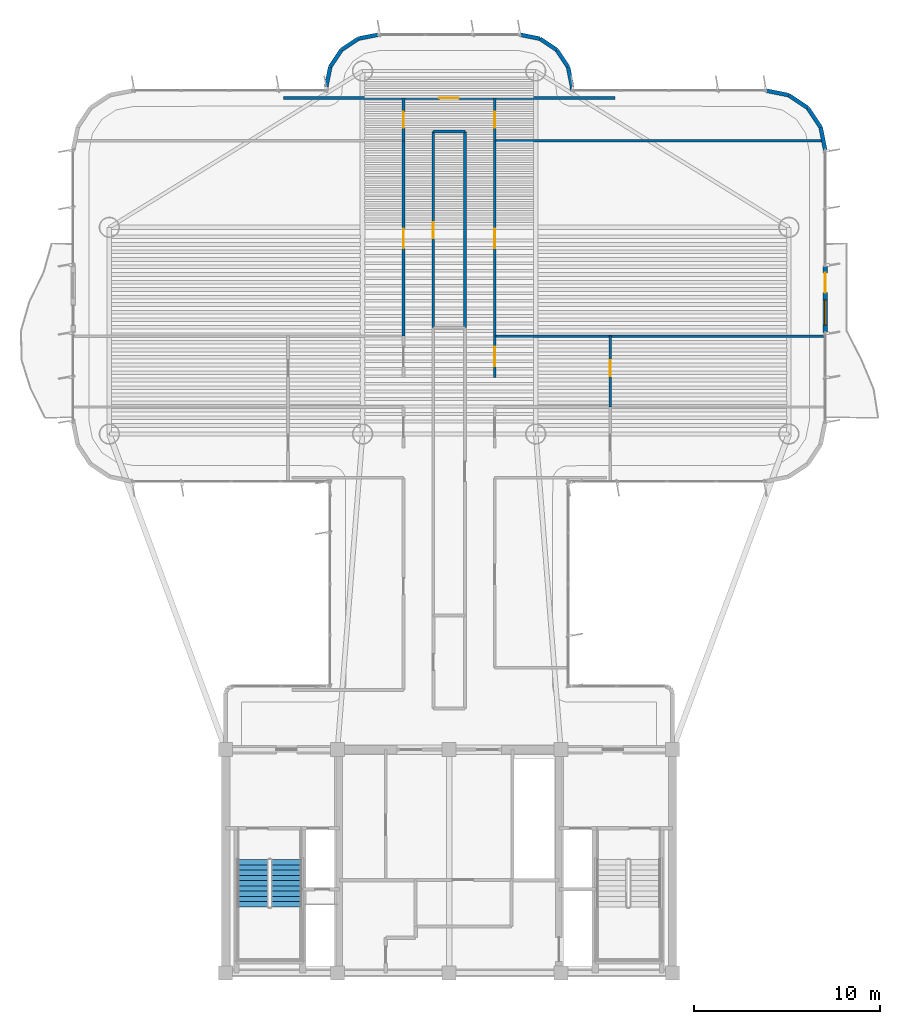
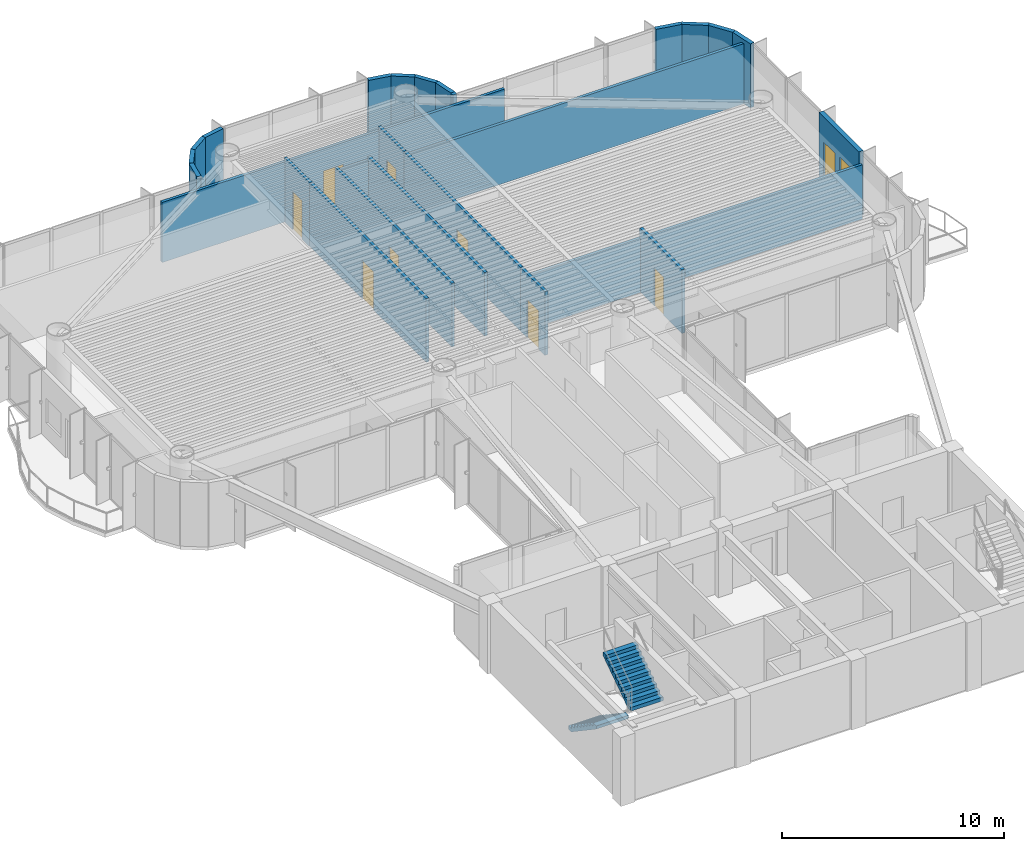
# One storey, part 11 of 14: 26 walls, 9 doors, 2 stair flights, 1 window, 10 openings, 1 element without a shape of its own.
"""IFC4 building model written with IfcOpenShell, lengths in metres."""

from ifc_helpers import new_model, si_unit, direction, frame, frame_2d, origin, origin_2d, place, context, subcontext, project, spatial, polyline, rectangle, outline, extrude, source, transform, mapped, material, layer, layer_set, type_object, element, fill, aggregate, save


model = new_model("IFC4")

# Units and contexts
model_context = context("Model", 3, precision=1e-05, world=origin(), true_north=direction((0.0, 1.0)))
body_context = subcontext(model_context, "Body", "Model", "MODEL_VIEW")
ifc_project = project(units=[si_unit("LENGTHUNIT", "METRE"), si_unit("AREAUNIT", "SQUARE_METRE"), si_unit("VOLUMEUNIT", "CUBIC_METRE"), si_unit("PLANEANGLEUNIT", "RADIAN"), si_unit("MASSUNIT", "GRAM", prefix="KILO")], contexts=[model_context])

# Site, building, storey
site_placement = place(None, origin())
site = spatial("IfcSite", under=ifc_project, at=site_placement, CompositionType="ELEMENT")
building_placement = place(site_placement, origin())
building = spatial("IfcBuilding", under=site, at=building_placement, Name="Brelvock Crest Care Tower", CompositionType="ELEMENT")
storey_placement = place(building_placement, frame((0.0, 0.0, 175.320068359375)))
storey = spatial("IfcBuildingStorey", under=building, at=storey_placement, Name="L44", CompositionType="ELEMENT", Elevation=175.320068359375)

# Wall, openings, door, window
ifc_material_1 = material(Name="Precast concrete N40 (40 MPa)", Category="concrete")
ifc_layer_1 = layer(ifc_material_1, 0.239990234375, Name="WL-EX1")
ifc_layer_set_1 = layer_set([ifc_layer_1], Name="Precast concrete N40 (40 MPa)")
wall_type_1 = type_object("IfcWallType", Name="WL-EX1", PredefinedType="SOLIDWALL", material=ifc_layer_set_1)
wall_1_placement = place(storey_placement, frame((56.199951171875, 44.0, 0.0), z_axis=(0.0, 0.0, 1.0), x_axis=(0.0, -1.0, 0.0)))
wall_1 = element("IfcWall", 1, at=wall_1_placement, inside=storey, type_object=wall_type_1, Name="L44 Exterior Spandrel Wall WL-BAL-L44-E", PredefinedType="SOLIDWALL", context=body_context, shape_type="SweptSolid", body=[
    extrude(rectangle(XDim=3.60009765625, YDim=0.239990234375, at=frame_2d((1.800048828125, 0.0))), origin(), (0.0, 0.0, 1.0), 3.530029296875),
])
opening_1_placement = place(wall_1_placement, frame((0.39990234375, 0.0, 0.0)))
opening_1 = element("IfcOpeningElement", 2, at=opening_1_placement, cuts=wall_1, Name="Opening BD-1", PredefinedType="OPENING", context=body_context, shape_type="SweptSolid", body=[
    extrude(rectangle(XDim=1.050048828125, YDim=2.14990234375, at=origin_2d()), frame((0.52490234375, 0.1298828125, 1.074951171875), z_axis=(0.0, -1.0, 0.0), x_axis=(1.0, 0.0, 0.0)), (0.0, 0.0, 1.0), 0.260009765625),
])
opening_2_placement = place(wall_1_placement, frame((1.85009765625, 0.0, 0.85009765625)))
opening_2 = element("IfcOpeningElement", 3, at=opening_2_placement, cuts=wall_1, Name="Opening W-01", PredefinedType="OPENING", context=body_context, shape_type="SweptSolid", body=[
    extrude(rectangle(XDim=1.35009765625, YDim=1.35009765625, at=origin_2d()), frame((0.675048828125, 0.1298828125, 0.675048828125), z_axis=(0.0, -1.0, 0.0), x_axis=(1.0, 0.0, 0.0)), (0.0, 0.0, 1.0), 0.260009765625),
])
ifc_material_2 = material(Name="Dark Glass Double Glazed Low-E", Category="glass")
door_type_1 = type_object("IfcDoorType", Name="DR-BAL1", OperationType="NOTDEFINED", PredefinedType="DOOR", material=ifc_material_2)
shared_shape_1 = source(origin(), body_context, "Body", "SweptSolid", [
    extrude(rectangle(XDim=1.050048828125, YDim=2.14990234375, at=origin_2d()), frame((0.52490234375, 0.02490234375, 1.074951171875), z_axis=(0.0, -1.0, 0.0), x_axis=(1.0, 0.0, 0.0)), (0.0, 0.0, 1.0), 0.050048828125),
])
door_1_placement = place(opening_1_placement, origin())
door_1 = element("IfcDoor", 4, at=door_1_placement, inside=storey, type_object=door_type_1, Name="L44 E Wave Balcony Glazed Door", OperationType="SINGLE_SWING_RIGHT", OverallHeight=2.14990234375, OverallWidth=1.050048828125, PredefinedType="DOOR", context=body_context, shape_type="MappedRepresentation", body=[
    mapped(shared_shape_1, transform((0.0, 0.0, 0.0), x_axis=(1.0, 0.0, 0.0), y_axis=(0.0, 1.0, 0.0), z_axis=(0.0, 0.0, 1.0), scale=1.0)),
])
fill(opening_1, door_1)
window_type = type_object("IfcWindowType", Name="WN-EX1", PartitioningType="SINGLE_PANEL", PredefinedType="WINDOW", material=ifc_material_2)
shared_shape_2 = source(origin(), body_context, "Body", "SweptSolid", [
    extrude(rectangle(XDim=1.35009765625, YDim=1.35009765625, at=origin_2d()), frame((0.675048828125, 0.030029296875, 0.675048828125), z_axis=(0.0, -1.0, 0.0), x_axis=(1.0, 0.0, 0.0)), (0.0, 0.0, 1.0), 0.06005859375),
])
window_placement = place(opening_2_placement, origin())
window = element("IfcWindow", 5, at=window_placement, inside=storey, type_object=window_type, Name="L44 E Suite Casement Window", OverallHeight=1.35009765625, OverallWidth=1.35009765625, PartitioningType="SINGLE_PANEL", PredefinedType="WINDOW", context=body_context, shape_type="MappedRepresentation", body=[
    mapped(shared_shape_2, transform((0.0, 0.0, 0.0), x_axis=(1.0, 0.0, 0.0), y_axis=(0.0, 1.0, 0.0), z_axis=(0.0, 0.0, 1.0), scale=1.0)),
])
fill(opening_2, window)

# Walls
ifc_layer_2 = layer(ifc_material_1, 0.215087890625, Name="WL-EX2")
ifc_layer_set_2 = layer_set([ifc_layer_2], Name="Precast concrete N40 (40 MPa)")
wall_type_2 = type_object("IfcWallType", Name="WL-EX2", PredefinedType="SOLIDWALL", material=ifc_layer_set_2)
wall_2_placement = place(storey_placement, frame((29.39990234375, 53.60009765625, 0.0), z_axis=(0.0, 0.0, 1.0), x_axis=(0.195127417394, 0.980777900945, 0.0)))
element("IfcWall", 6, at=wall_2_placement, inside=storey, type_object=wall_type_2, Name="L44 Rounded Corner Wall 24", PredefinedType="SOLIDWALL", context=body_context, shape_type="SweptSolid", body=[
    extrude(rectangle(XDim=1.09228515625, YDim=0.215087890625, at=frame_2d((0.546142578125, 0.0))), origin(), (0.0, 0.0, 1.0), 3.530029296875),
])
wall_3_placement = place(storey_placement, frame((29.613037109375, 54.67138671875, 0.0), z_axis=(0.0, 0.0, 1.0), x_axis=(0.555679482341, 0.831396603857, 0.0)))
element("IfcWall", 7, at=wall_3_placement, inside=storey, type_object=wall_type_2, Name="L44 Rounded Corner Wall 25", PredefinedType="SOLIDWALL", context=body_context, shape_type="SweptSolid", body=[
    extrude(rectangle(XDim=1.0927734375, YDim=0.215087890625, at=frame_2d((0.54638671875, 0.0))), origin(), (0.0, 0.0, 1.0), 3.530029296875),
])
for number, where, z_axis, x_axis, name in (
    (8, (30.22021484375, 55.579833984375, 0.0), (0.0, 0.0, 1.0), (0.831327592857, 0.555782721353, 0.0), "L44 Rounded Corner Wall 26"),
    (9, (31.12841796875, 56.18701171875, 0.0), (0.0, 0.0, 1.0), (0.980829143587, 0.194869677195, 0.0), "L44 Rounded Corner Wall 27"),
    (10, (39.800048828125, 56.39990234375, 0.0), (0.0, 0.0, 1.0), (0.980829143587, -0.194869677195, 0.0), "L44 Rounded Corner Wall 29"),
    (11, (40.87158203125, 56.18701171875, 0.0), (0.0, 0.0, 1.0), (0.831327592857, -0.555782721353, 0.0), "L44 Rounded Corner Wall 30"),
):
    element("IfcWall", number, at=place(storey_placement, frame(where, z_axis=z_axis, x_axis=x_axis)), inside=storey, type_object=wall_type_2, Name=name, PredefinedType="SOLIDWALL", context=body_context, shape_type="SweptSolid", body=[
        extrude(rectangle(XDim=1.092529296875, YDim=0.215087890625, at=frame_2d((0.54638671875, 0.0))), origin(), (0.0, 0.0, 1.0), 3.530029296875),
    ])
wall_4_placement = place(storey_placement, frame((41.77978515625, 55.579833984375, 0.0), z_axis=(0.0, 0.0, 1.0), x_axis=(0.555679482341, -0.831396603857, 0.0)))
element("IfcWall", 12, at=wall_4_placement, inside=storey, type_object=wall_type_2, Name="L44 Rounded Corner Wall 31", PredefinedType="SOLIDWALL", context=body_context, shape_type="SweptSolid", body=[
    extrude(rectangle(XDim=1.0927734375, YDim=0.215087890625, at=frame_2d((0.54638671875, 0.0))), origin(), (0.0, 0.0, 1.0), 3.530029296875),
])
wall_5_placement = place(storey_placement, frame((42.386962890625, 54.67138671875, 0.0), z_axis=(0.0, 0.0, 1.0), x_axis=(0.195127417394, -0.980777900945, 0.0)))
element("IfcWall", 13, at=wall_5_placement, inside=storey, type_object=wall_type_2, Name="L44 Rounded Corner Wall 32", PredefinedType="SOLIDWALL", context=body_context, shape_type="SweptSolid", body=[
    extrude(rectangle(XDim=1.09228515625, YDim=0.215087890625, at=frame_2d((0.546142578125, 0.0))), origin(), (0.0, 0.0, 1.0), 3.530029296875),
])
wall_6_placement = place(storey_placement, frame((42.60009765625, 53.60009765625, 0.0), z_axis=(0.0, 0.0, 1.0), x_axis=(0.0, -1.0, 0.0)))
element("IfcWall", 14, at=wall_6_placement, inside=storey, type_object=wall_type_2, Name="L44 Rounded Corner Wall 33", PredefinedType="SOLIDWALL", context=body_context, shape_type="SweptSolid", body=[
    extrude(rectangle(XDim=0.2001953125, YDim=0.215087890625, at=frame_2d((0.10009765625, 0.0))), origin(), (0.0, 0.0, 1.0), 3.530029296875),
])
for number, where, z_axis, x_axis, name in (
    (15, (53.0, 53.39990234375, 0.0), (0.0, 0.0, 1.0), (0.980813122964, -0.194950295773, 0.0), "L44 Rounded Corner Wall 35"),
    (16, (54.224609375, 53.156494140625, 0.0), (0.0, 0.0, 1.0), (0.831387912822, -0.555692485475, 0.0), "L44 Rounded Corner Wall 36"),
    (17, (55.2626953125, 52.462646484375, 0.0), (0.0, 0.0, 1.0), (0.555557312883, -0.831478245117, 0.0), "L44 Rounded Corner Wall 37"),
    (18, (55.956298828125, 51.424560546875, 0.0), (0.0, 0.0, 1.0), (0.195138390419, -0.980775717779, 0.0), "L44 Rounded Corner Wall 38"),
):
    element("IfcWall", number, at=place(storey_placement, frame(where, z_axis=z_axis, x_axis=x_axis)), inside=storey, type_object=wall_type_2, Name=name, PredefinedType="SOLIDWALL", context=body_context, shape_type="SweptSolid", body=[
        extrude(rectangle(XDim=1.24853515625, YDim=0.215087890625, at=frame_2d((0.624267578125, 0.0))), origin(), (0.0, 0.0, 1.0), 3.530029296875),
    ])
ifc_material_3 = material(Name="Masonry Blockwork Acoustic Partition", Category="masonry")
ifc_layer_3 = layer(ifc_material_3, 0.14990234375, Name="WL-INT1")
ifc_layer_set_3 = layer_set([ifc_layer_3], Name="Masonry Blockwork Acoustic Partition")
wall_type_3 = type_object("IfcWallType", Name="WL-INT1", PredefinedType="PARTITIONING", material=ifc_layer_set_3)
wall_7_placement = place(storey_placement, frame((38.449951171875, 40.201904296875, 0.0), z_axis=(0.0, 0.0, 1.0), x_axis=(1.0, 0.0, 0.0)))
element("IfcWall", 19, at=wall_7_placement, inside=storey, type_object=wall_type_3, Name="L44 Interior Wall WL-BX-L44-ERC-S", PredefinedType="PARTITIONING", context=body_context, shape_type="SweptSolid", body=[
    extrude(rectangle(XDim=17.670166015625, YDim=0.14990234375, at=frame_2d((8.8349609375, 0.0))), origin(), (0.0, 0.0, 1.0), 2.98193359375),
])
wall_8_placement = place(storey_placement, frame((38.449951171875, 50.699951171875, 0.0), z_axis=(0.0, 0.0, 1.0), x_axis=(1.0, 0.0, 0.0)))
element("IfcWall", 20, at=wall_8_placement, inside=storey, type_object=wall_type_3, Name="L44 Interior Wall WL-BX-L44-ERC-N", PredefinedType="PARTITIONING", context=body_context, shape_type="SweptSolid", body=[
    extrude(rectangle(XDim=17.569091796875, YDim=0.14990234375, at=frame_2d((8.78466796875, 0.0))), origin(), (0.0, 0.0, 1.0), 3.307861328125),
])
wall_9_placement = place(storey_placement, frame((35.14990234375, 51.199951171875, 0.0), z_axis=(0.0, 0.0, 1.0), x_axis=(1.0, 0.0, 0.0)))
element("IfcWall", 21, at=wall_9_placement, inside=storey, type_object=wall_type_3, Name="L44 Interior Wall WL-BX-L44-ISKT-N", PredefinedType="PARTITIONING", context=body_context, shape_type="SweptSolid", body=[
    extrude(rectangle(XDim=1.7001953125, YDim=0.14990234375, at=frame_2d((0.85009765625, 0.0))), origin(), (0.0, 0.0, 1.0), 3.307861328125),
])

# Wall, opening, door
wall_10_placement = place(storey_placement, frame((27.10009765625, 53.0, 0.0), z_axis=(0.0, 0.0, 1.0), x_axis=(1.0, 0.0, 0.0)))
wall_10 = element("IfcWall", 22, at=wall_10_placement, inside=storey, type_object=wall_type_3, Name="L44 Interior Wall WL-RM-L44-NHUB", PredefinedType="PARTITIONING", context=body_context, shape_type="SweptSolid", body=[
    extrude(rectangle(XDim=17.7998046875, YDim=0.14990234375, at=frame_2d((8.89990234375, 0.0))), origin(), (0.0, 0.0, 1.0), 3.307861328125),
])
opening_3_placement = place(wall_10_placement, frame((8.375, 0.0, 0.0)))
opening_3 = element("IfcOpeningElement", 23, at=opening_3_placement, cuts=wall_10, Name="Opening CLD-1", PredefinedType="OPENING", context=body_context, shape_type="SweptSolid", body=[
    extrude(rectangle(XDim=1.050048828125, YDim=2.10009765625, at=origin_2d()), frame((0.52490234375, 0.0849609375, 1.050048828125), z_axis=(0.0, -1.0, 0.0), x_axis=(1.0, 0.0, 0.0)), (0.0, 0.0, 1.0), 0.169921875),
])
ifc_material_4 = material(Name="Engineered Hardwood Timber", Category="wood")
door_type_2 = type_object("IfcDoorType", Name="DR-CLN1", OperationType="NOTDEFINED", PredefinedType="DOOR", material=ifc_material_4)
shared_shape_3 = source(origin(), body_context, "Body", "SweptSolid", [
    extrude(rectangle(XDim=1.050048828125, YDim=2.10009765625, at=origin_2d()), frame((0.52490234375, 0.02490234375, 1.050048828125), z_axis=(0.0, -1.0, 0.0), x_axis=(1.0, 0.0, 0.0)), (0.0, 0.0, 1.0), 0.050048828125),
])
door_2_placement = place(opening_3_placement, origin())
door_2 = element("IfcDoor", 24, at=door_2_placement, inside=storey, type_object=door_type_2, Name="L44 North Crest Conservatory Lounge Door NHUB", OperationType="SINGLE_SWING_LEFT", OverallHeight=2.10009765625, OverallWidth=1.050048828125, PredefinedType="DOOR", context=body_context, shape_type="MappedRepresentation", body=[
    mapped(shared_shape_3, transform((0.0, 0.0, 0.0), x_axis=(1.0, 0.0, 0.0), y_axis=(0.0, 1.0, 0.0), z_axis=(0.0, 0.0, 1.0), scale=1.0)),
])
fill(opening_3, door_2)

wall_11_placement = place(storey_placement, frame((33.550048828125, 40.201904296875, 0.0), z_axis=(0.0, 0.0, 1.0), x_axis=(0.0, 1.0, 0.0)))
wall_11 = element("IfcWall", 25, at=wall_11_placement, inside=storey, type_object=wall_type_3, Name="L44 Interior Wall WL-RM-L44-WRC", PredefinedType="PARTITIONING", context=body_context, shape_type="SweptSolid", body=[
    extrude(rectangle(XDim=10.498046875, YDim=0.14990234375, at=frame_2d((5.2490234375, 0.0))), origin(), (0.0, 0.0, 1.0), 3.5),
])
opening_4_placement = place(wall_11_placement, frame((4.72412109375, 0.0, 0.0)))
opening_4 = element("IfcOpeningElement", 26, at=opening_4_placement, cuts=wall_11, Name="Opening CLD-1", PredefinedType="OPENING", context=body_context, shape_type="SweptSolid", body=[
    extrude(rectangle(XDim=1.050048828125, YDim=2.10009765625, at=origin_2d()), frame((0.52490234375, 0.0849609375, 1.050048828125), z_axis=(0.0, -1.0, 0.0), x_axis=(1.0, 0.0, 0.0)), (0.0, 0.0, 1.0), 0.169921875),
])
door_3_placement = place(opening_4_placement, origin())
door_3 = element("IfcDoor", 27, at=door_3_placement, inside=storey, type_object=door_type_2, Name="L44 Neurological Rehab Studio Door WRC", OperationType="SINGLE_SWING_LEFT", OverallHeight=2.10009765625, OverallWidth=1.050048828125, PredefinedType="DOOR", context=body_context, shape_type="MappedRepresentation", body=[
    mapped(shared_shape_3, transform((0.0, 0.0, 0.0), x_axis=(1.0, 0.0, 0.0), y_axis=(0.0, 1.0, 0.0), z_axis=(0.0, 0.0, 1.0), scale=1.0)),
])
fill(opening_4, door_3)

wall_12_placement = place(storey_placement, frame((33.550048828125, 50.699951171875, 0.0), z_axis=(0.0, 0.0, 1.0), x_axis=(0.0, 1.0, 0.0)))
wall_12 = element("IfcWall", 28, at=wall_12_placement, inside=storey, type_object=wall_type_3, Name="L44 Interior Wall WL-RM-L44-NALW", PredefinedType="PARTITIONING", context=body_context, shape_type="SweptSolid", body=[
    extrude(rectangle(XDim=2.300048828125, YDim=0.14990234375, at=frame_2d((1.14990234375, 0.0))), origin(), (0.0, 0.0, 1.0), 3.5),
])
opening_5_placement = place(wall_12_placement, frame((0.68994140625, 0.0, 0.0)))
opening_5 = element("IfcOpeningElement", 29, at=opening_5_placement, cuts=wall_12, Name="Opening ID-1", PredefinedType="OPENING", context=body_context, shape_type="SweptSolid", body=[
    extrude(rectangle(XDim=0.860107421875, YDim=2.10009765625, at=origin_2d()), frame((0.43017578125, 0.0849609375, 1.050048828125), z_axis=(0.0, -1.0, 0.0), x_axis=(1.0, 0.0, 0.0)), (0.0, 0.0, 1.0), 0.169921875),
])
door_type_3 = type_object("IfcDoorType", Name="DR-INT1", OperationType="NOTDEFINED", PredefinedType="DOOR", material=ifc_material_4)
shared_shape_4 = source(origin(), body_context, "Body", "SweptSolid", [
    extrude(rectangle(XDim=0.860107421875, YDim=2.10009765625, at=origin_2d()), frame((0.43017578125, 0.02490234375, 1.050048828125), z_axis=(0.0, -1.0, 0.0), x_axis=(1.0, 0.0, 0.0)), (0.0, 0.0, 1.0), 0.050048828125),
])
door_4_placement = place(opening_5_placement, origin())
door_4 = element("IfcDoor", 30, at=door_4_placement, inside=storey, type_object=door_type_3, Name="L44 North West Sun Alcove Door NALW", OperationType="SINGLE_SWING_LEFT", OverallHeight=2.10009765625, OverallWidth=0.860107421875, PredefinedType="DOOR", context=body_context, shape_type="MappedRepresentation", body=[
    mapped(shared_shape_4, transform((0.0, 0.0, 0.0), x_axis=(1.0, 0.0, 0.0), y_axis=(0.0, 1.0, 0.0), z_axis=(0.0, 0.0, 1.0), scale=1.0)),
])
fill(opening_5, door_4)

wall_13_placement = place(storey_placement, frame((35.14990234375, 40.659912109375, 0.0), z_axis=(0.0, 0.0, 1.0), x_axis=(0.0, 1.0, 0.0)))
wall_13 = element("IfcWall", 31, at=wall_13_placement, inside=storey, type_object=wall_type_3, Name="L44 Interior Wall WL-RM-L44-ISKT", PredefinedType="PARTITIONING", context=body_context, shape_type="SweptSolid", body=[
    extrude(rectangle(XDim=10.5400390625, YDim=0.14990234375, at=frame_2d((5.27001953125, 0.0))), origin(), (0.0, 0.0, 1.0), 3.5),
])
opening_6_placement = place(wall_13_placement, frame((4.81005859375, 0.0, 0.0)))
opening_6 = element("IfcOpeningElement", 32, at=opening_6_placement, cuts=wall_13, Name="Opening ID-1", PredefinedType="OPENING", context=body_context, shape_type="SweptSolid", body=[
    extrude(rectangle(XDim=0.860107421875, YDim=2.10009765625, at=origin_2d()), frame((0.43017578125, 0.0849609375, 1.050048828125), z_axis=(0.0, -1.0, 0.0), x_axis=(1.0, 0.0, 0.0)), (0.0, 0.0, 1.0), 0.169921875),
])
door_5_placement = place(opening_6_placement, origin())
door_5 = element("IfcDoor", 33, at=door_5_placement, inside=storey, type_object=door_type_3, Name="L44 Communal Tea and Nutrition Pantry Door ISKT", OperationType="SINGLE_SWING_LEFT", OverallHeight=2.10009765625, OverallWidth=0.860107421875, PredefinedType="DOOR", context=body_context, shape_type="MappedRepresentation", body=[
    mapped(shared_shape_4, transform((0.0, 0.0, 0.0), x_axis=(1.0, 0.0, 0.0), y_axis=(0.0, 1.0, 0.0), z_axis=(0.0, 0.0, 1.0), scale=1.0)),
])
fill(opening_6, door_5)

# Wall
wall_14_placement = place(storey_placement, frame((36.85009765625, 40.659912109375, 0.0), z_axis=(0.0, 0.0, 1.0), x_axis=(0.0, 1.0, 0.0)))
element("IfcWall", 34, at=wall_14_placement, inside=storey, type_object=wall_type_3, Name="L44 Interior Wall WL-BX-L44-ISKT-E", PredefinedType="PARTITIONING", context=body_context, shape_type="SweptSolid", body=[
    extrude(rectangle(XDim=10.5400390625, YDim=0.14990234375, at=frame_2d((5.27001953125, 0.0))), origin(), (0.0, 0.0, 1.0), 3.5),
])

# Wall, opening, door
wall_15_placement = place(storey_placement, frame((38.449951171875, 37.9970703125, 0.0), z_axis=(0.0, 0.0, 1.0), x_axis=(0.0, 1.0, 0.0)))
wall_15 = element("IfcWall", 35, at=wall_15_placement, inside=storey, type_object=wall_type_3, Name="L44 Interior Wall WL-CENT-L44-ER1B", PredefinedType="PARTITIONING", context=body_context, shape_type="SweptSolid", body=[
    extrude(rectangle(XDim=2.204833984375, YDim=0.14990234375, at=frame_2d((1.1025390625, 0.0))), origin(), (0.0, 0.0, 1.0), 3.5),
])
opening_7_placement = place(wall_15_placement, frame((0.58203125, 0.0, 0.0)))
opening_7 = element("IfcOpeningElement", 36, at=opening_7_placement, cuts=wall_15, Name="Opening CD-1", PredefinedType="OPENING", context=body_context, shape_type="SweptSolid", body=[
    extrude(rectangle(XDim=1.050048828125, YDim=2.10009765625, at=origin_2d()), frame((0.52490234375, 0.0849609375, 1.050048828125), z_axis=(0.0, -1.0, 0.0), x_axis=(1.0, 0.0, 0.0)), (0.0, 0.0, 1.0), 0.169921875),
])
door_type_4 = type_object("IfcDoorType", Name="DR-CARE1", OperationType="NOTDEFINED", PredefinedType="DOOR", material=ifc_material_4)
shared_shape_5 = source(origin(), body_context, "Body", "SweptSolid", [
    extrude(rectangle(XDim=1.050048828125, YDim=2.10009765625, at=origin_2d()), frame((0.52490234375, 0.02490234375, 1.050048828125), z_axis=(0.0, -1.0, 0.0), x_axis=(1.0, 0.0, 0.0)), (0.0, 0.0, 1.0), 0.050048828125),
])
door_6_placement = place(opening_7_placement, origin())
door_6 = element("IfcDoor", 37, at=door_6_placement, inside=storey, type_object=door_type_4, Name="L44 Care Suite Door ER1B", OperationType="SINGLE_SWING_LEFT", OverallHeight=2.10009765625, OverallWidth=1.050048828125, PredefinedType="DOOR", context=body_context, shape_type="MappedRepresentation", body=[
    mapped(shared_shape_5, transform((0.0, 0.0, 0.0), x_axis=(1.0, 0.0, 0.0), y_axis=(0.0, 1.0, 0.0), z_axis=(0.0, 0.0, 1.0), scale=1.0)),
])
fill(opening_7, door_6)

wall_16_placement = place(storey_placement, frame((38.449951171875, 40.201904296875, 0.0), z_axis=(0.0, 0.0, 1.0), x_axis=(0.0, 1.0, 0.0)))
wall_16 = element("IfcWall", 38, at=wall_16_placement, inside=storey, type_object=wall_type_3, Name="L44 Interior Wall WL-RM-L44-ERC", PredefinedType="PARTITIONING", context=body_context, shape_type="SweptSolid", body=[
    extrude(rectangle(XDim=10.498046875, YDim=0.14990234375, at=frame_2d((5.2490234375, 0.0))), origin(), (0.0, 0.0, 1.0), 3.5),
])
opening_8_placement = place(wall_16_placement, frame((4.72412109375, 0.0, 0.0)))
opening_8 = element("IfcOpeningElement", 39, at=opening_8_placement, cuts=wall_16, Name="Opening CLD-1", PredefinedType="OPENING", context=body_context, shape_type="SweptSolid", body=[
    extrude(rectangle(XDim=1.050048828125, YDim=2.10009765625, at=origin_2d()), frame((0.52490234375, 0.0849609375, 1.050048828125), z_axis=(0.0, -1.0, 0.0), x_axis=(1.0, 0.0, 0.0)), (0.0, 0.0, 1.0), 0.169921875),
])
door_7_placement = place(opening_8_placement, origin())
door_7 = element("IfcDoor", 40, at=door_7_placement, inside=storey, type_object=door_type_2, Name="L44 Cardiopulmonary Rehab Suite Door ERC", OperationType="SINGLE_SWING_LEFT", OverallHeight=2.10009765625, OverallWidth=1.050048828125, PredefinedType="DOOR", context=body_context, shape_type="MappedRepresentation", body=[
    mapped(shared_shape_3, transform((0.0, 0.0, 0.0), x_axis=(1.0, 0.0, 0.0), y_axis=(0.0, 1.0, 0.0), z_axis=(0.0, 0.0, 1.0), scale=1.0)),
])
fill(opening_8, door_7)

wall_17_placement = place(storey_placement, frame((38.449951171875, 50.699951171875, 0.0), z_axis=(0.0, 0.0, 1.0), x_axis=(0.0, 1.0, 0.0)))
wall_17 = element("IfcWall", 41, at=wall_17_placement, inside=storey, type_object=wall_type_3, Name="L44 Interior Wall WL-RM-L44-NALE", PredefinedType="PARTITIONING", context=body_context, shape_type="SweptSolid", body=[
    extrude(rectangle(XDim=2.300048828125, YDim=0.14990234375, at=frame_2d((1.14990234375, 0.0))), origin(), (0.0, 0.0, 1.0), 3.5),
])
opening_9_placement = place(wall_17_placement, frame((0.68994140625, 0.0, 0.0)))
opening_9 = element("IfcOpeningElement", 42, at=opening_9_placement, cuts=wall_17, Name="Opening ID-1", PredefinedType="OPENING", context=body_context, shape_type="SweptSolid", body=[
    extrude(rectangle(XDim=0.860107421875, YDim=2.10009765625, at=origin_2d()), frame((0.43017578125, 0.0849609375, 1.050048828125), z_axis=(0.0, -1.0, 0.0), x_axis=(1.0, 0.0, 0.0)), (0.0, 0.0, 1.0), 0.169921875),
])
door_8_placement = place(opening_9_placement, origin())
door_8 = element("IfcDoor", 43, at=door_8_placement, inside=storey, type_object=door_type_3, Name="L44 North East Tea Alcove Door NALE", OperationType="SINGLE_SWING_LEFT", OverallHeight=2.10009765625, OverallWidth=0.860107421875, PredefinedType="DOOR", context=body_context, shape_type="MappedRepresentation", body=[
    mapped(shared_shape_4, transform((0.0, 0.0, 0.0), x_axis=(1.0, 0.0, 0.0), y_axis=(0.0, 1.0, 0.0), z_axis=(0.0, 0.0, 1.0), scale=1.0)),
])
fill(opening_9, door_8)

wall_18_placement = place(storey_placement, frame((44.64990234375, 36.40087890625, 0.0), z_axis=(0.0, 0.0, 1.0), x_axis=(0.0, 1.0, 0.0)))
wall_18 = element("IfcWall", 44, at=wall_18_placement, inside=storey, type_object=wall_type_3, Name="L44 Interior Wall WL-RM-L44-ER1BS", PredefinedType="PARTITIONING", context=body_context, shape_type="SweptSolid", body=[
    extrude(rectangle(XDim=3.801025390625, YDim=0.14990234375, at=frame_2d((1.900390625, 0.0))), origin(), (0.0, 0.0, 1.0), 3.5),
])
opening_10_placement = place(wall_18_placement, frame((1.638916015625, 0.0, 0.0)))
opening_10 = element("IfcOpeningElement", 45, at=opening_10_placement, cuts=wall_18, Name="Opening ID-1", PredefinedType="OPENING", context=body_context, shape_type="SweptSolid", body=[
    extrude(rectangle(XDim=0.860107421875, YDim=2.10009765625, at=origin_2d()), frame((0.43017578125, 0.0849609375, 1.050048828125), z_axis=(0.0, -1.0, 0.0), x_axis=(1.0, 0.0, 0.0)), (0.0, 0.0, 1.0), 0.169921875),
])
door_9_placement = place(opening_10_placement, origin())
door_9 = element("IfcDoor", 46, at=door_9_placement, inside=storey, type_object=door_type_3, Name="L44 Rehab Recovery Mobility Store Door ER1BS", OperationType="SINGLE_SWING_LEFT", OverallHeight=2.10009765625, OverallWidth=0.860107421875, PredefinedType="DOOR", context=body_context, shape_type="MappedRepresentation", body=[
    mapped(shared_shape_4, transform((0.0, 0.0, 0.0), x_axis=(1.0, 0.0, 0.0), y_axis=(0.0, 1.0, 0.0), z_axis=(0.0, 0.0, 1.0), scale=1.0)),
])
fill(opening_10, door_9)

# Stair, stair flights
ifc_material_5 = material(Name="Concrete N40 (40 MPa)", Category="concrete")
stair_type = type_object("IfcStairType", Name="ST-CORE1", PredefinedType="HALF_TURN_STAIR", material=ifc_material_5)
stair_placement = place(storey_placement, origin())
stair = element("IfcStair", 47, at=stair_placement, inside=storey, type_object=stair_type, Name="L44 Fire-Isolated Core Stair ST-1", PredefinedType="HALF_TURN_STAIR")
stair_flight_type = type_object("IfcStairFlightType", Name="STF-1", PredefinedType="STRAIGHT", material=ifc_material_5)
stair_flight_1_placement = place(storey_placement, frame((25.469970703125, 12.080078125, 0.0), z_axis=(0.0, 0.0, 1.0), x_axis=(0.0, -1.0, 0.0)))
stair_flight_1 = element("IfcStairFlight", 48, at=stair_flight_1_placement, type_object=stair_flight_type, Name="ST-1 flight 1", NumberOfRisers=10, NumberOfTreads=9, PredefinedType="STRAIGHT", RiserHeight=0.189, TreadLength=0.28, context=body_context, shape_type="SweptSolid", body=[
    extrude(outline(polyline([(-0.00390625, -0.014892578125), (-0.00390625, -0.0078125), (-0.00390625, -0.00048828125), (-0.00390625, 0.0068359375), (-0.00390625, 0.01416015625), (-0.00390625, 0.021484375), (-0.00390625, 0.02880859375), (-0.00390625, 0.035888671875), (-0.00390625, 0.043212890625), (-0.00390625, 0.050537109375), (-0.00390625, 0.057861328125), (-0.00390625, 0.065185546875), (-0.00390625, 0.072509765625), (-0.00390625, 0.07958984375), (-0.00390625, 0.0869140625), (-0.00390625, 0.09423828125), (-0.00390625, 0.1015625), (-0.00390625, 0.10888671875), (-0.00390625, 0.1162109375), (-0.00390625, 0.12353515625), (-0.00390625, 0.130615234375), (-0.00390625, 0.137939453125), (-0.00390625, 0.145263671875), (-0.00390625, 0.152587890625), (-0.00390625, 0.159912109375), (-0.00390625, 0.167236328125), (-0.00390625, 0.17431640625), (-0.00390625, 0.181640625), (-0.00390625, 0.18896484375), (0.0, 0.18896484375), (0.280029296875, 0.18896484375), (0.280029296875, 0.3779296875), (0.56005859375, 0.3779296875), (0.56005859375, 0.56689453125), (0.840087890625, 0.56689453125), (0.840087890625, 0.756103515625), (1.1201171875, 0.756103515625), (1.1201171875, 0.945068359375), (1.39990234375, 0.945068359375), (1.39990234375, 1.134033203125), (1.679931640625, 1.134033203125), (1.679931640625, 1.322998046875), (1.9599609375, 1.322998046875), (1.9599609375, 1.511962890625), (2.239990234375, 1.511962890625), (2.239990234375, 1.700927734375), (2.52001953125, 1.700927734375), (2.52392578125, 1.700927734375), (2.523681640625, 1.70068359375), (2.52392578125, 1.700439453125), (2.523681640625, 1.699951171875), (2.52392578125, 1.69970703125), (2.523681640625, 1.699462890625), (2.52392578125, 1.698974609375), (2.523681640625, 1.69873046875), (2.52392578125, 1.698486328125), (2.523681640625, 1.697998046875), (2.52392578125, 1.69775390625), (2.523681640625, 1.697509765625), (2.52392578125, 1.697021484375), (2.523681640625, 1.69677734375), (2.52392578125, 1.696533203125), (2.523681640625, 1.6962890625), (2.52392578125, 1.69580078125), (2.523681640625, 1.695556640625), (2.52392578125, 1.6953125), (2.523681640625, 1.69482421875), (2.52392578125, 1.694580078125), (2.523681640625, 1.6943359375), (2.52392578125, 1.69384765625), (2.523681640625, 1.693603515625), (2.52392578125, 1.693359375), (2.523681640625, 1.69287109375), (2.52392578125, 1.692626953125), (2.523681640625, 1.6923828125), (2.52392578125, 1.69189453125), (2.52001953125, 1.520263671875), (0.267822265625, 0.0), (0.0, 0.0), (0.0, -0.014892578125), (-0.00390625, -0.014892578125)])), frame((0.0, 0.83984375, 0.0), z_axis=(0.0, -1.0, 0.0), x_axis=(1.0, 0.0, 0.0)), (0.0, 0.0, 1.0), 1.679931640625),
])
stair_flight_2_placement = place(storey_placement, frame((27.27001953125, 9.56005859375, 1.889892578125), z_axis=(0.0, 0.0, 1.0), x_axis=(0.0, 1.0, 0.0)))
stair_flight_2 = element("IfcStairFlight", 49, at=stair_flight_2_placement, type_object=stair_flight_type, Name="ST-1 flight 2", NumberOfRisers=10, NumberOfTreads=9, PredefinedType="STRAIGHT", RiserHeight=0.189, TreadLength=0.28, context=body_context, shape_type="SweptSolid", body=[
    extrude(outline(polyline([(-0.00390625, -0.014892578125), (-0.00390625, -0.0078125), (-0.00390625, -0.00048828125), (-0.00390625, 0.0068359375), (-0.00390625, 0.01416015625), (-0.00390625, 0.021484375), (-0.00390625, 0.02880859375), (-0.00390625, 0.035888671875), (-0.00390625, 0.043212890625), (-0.00390625, 0.050537109375), (-0.00390625, 0.057861328125), (-0.00390625, 0.065185546875), (-0.00390625, 0.072509765625), (-0.00390625, 0.07958984375), (-0.00390625, 0.0869140625), (-0.00390625, 0.09423828125), (-0.00390625, 0.1015625), (-0.00390625, 0.10888671875), (-0.00390625, 0.1162109375), (-0.00390625, 0.12353515625), (-0.00390625, 0.130615234375), (-0.00390625, 0.137939453125), (-0.00390625, 0.145263671875), (-0.00390625, 0.152587890625), (-0.00390625, 0.159912109375), (-0.00390625, 0.167236328125), (-0.00390625, 0.17431640625), (-0.00390625, 0.181640625), (-0.00390625, 0.18896484375), (0.0, 0.18896484375), (0.280029296875, 0.18896484375), (0.280029296875, 0.3779296875), (0.56005859375, 0.3779296875), (0.56005859375, 0.56689453125), (0.840087890625, 0.56689453125), (0.840087890625, 0.756103515625), (1.1201171875, 0.756103515625), (1.1201171875, 0.945068359375), (1.39990234375, 0.945068359375), (1.39990234375, 1.134033203125), (1.679931640625, 1.134033203125), (1.679931640625, 1.322998046875), (1.9599609375, 1.322998046875), (1.9599609375, 1.511962890625), (2.239990234375, 1.511962890625), (2.239990234375, 1.700927734375), (2.52001953125, 1.700927734375), (2.52392578125, 1.700927734375), (2.523681640625, 1.70068359375), (2.52392578125, 1.700439453125), (2.523681640625, 1.699951171875), (2.52392578125, 1.69970703125), (2.523681640625, 1.699462890625), (2.52392578125, 1.698974609375), (2.523681640625, 1.69873046875), (2.52392578125, 1.698486328125), (2.523681640625, 1.697998046875), (2.52392578125, 1.69775390625), (2.523681640625, 1.697509765625), (2.52392578125, 1.697021484375), (2.523681640625, 1.69677734375), (2.52392578125, 1.696533203125), (2.523681640625, 1.6962890625), (2.52392578125, 1.69580078125), (2.523681640625, 1.695556640625), (2.52392578125, 1.6953125), (2.523681640625, 1.69482421875), (2.52392578125, 1.694580078125), (2.523681640625, 1.6943359375), (2.52392578125, 1.69384765625), (2.523681640625, 1.693603515625), (2.52392578125, 1.693359375), (2.523681640625, 1.69287109375), (2.52392578125, 1.692626953125), (2.523681640625, 1.6923828125), (2.52392578125, 1.69189453125), (2.52001953125, 1.520263671875), (0.267822265625, 0.0), (0.0, 0.0), (0.0, -0.014892578125), (-0.00390625, -0.014892578125)])), frame((0.0, 0.83984375, 0.0), z_axis=(0.0, -1.0, 0.0), x_axis=(1.0, 0.0, 0.0)), (0.0, 0.0, 1.0), 1.679931640625),
])
aggregate(stair, [stair_flight_1, stair_flight_2])

save(model, "model.ifc")
